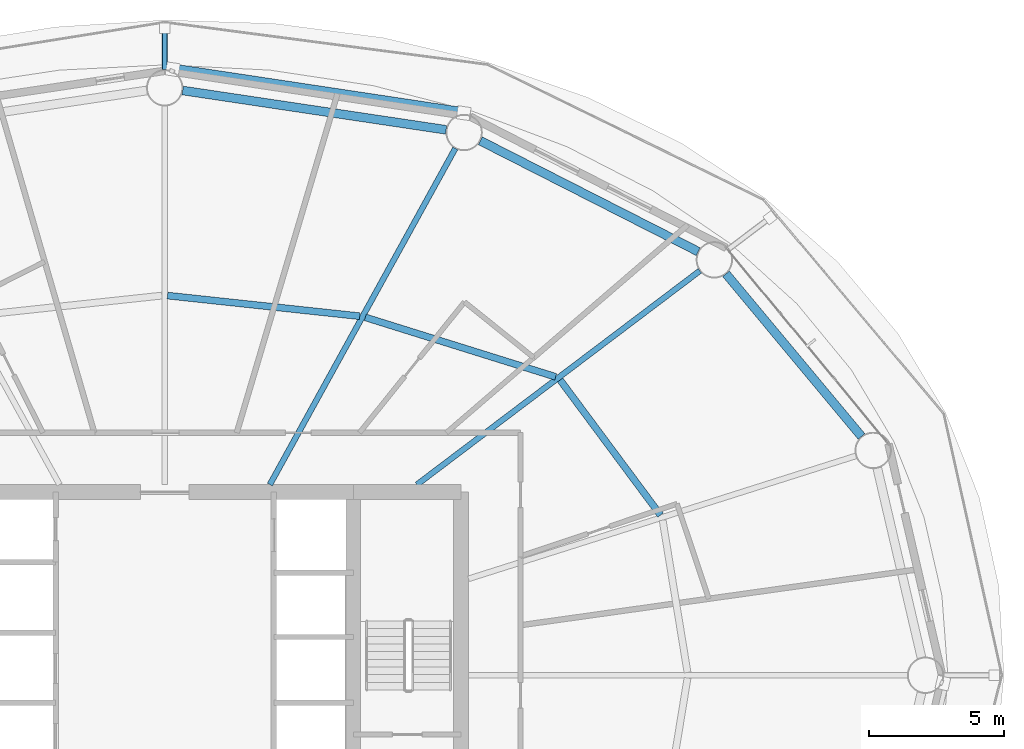
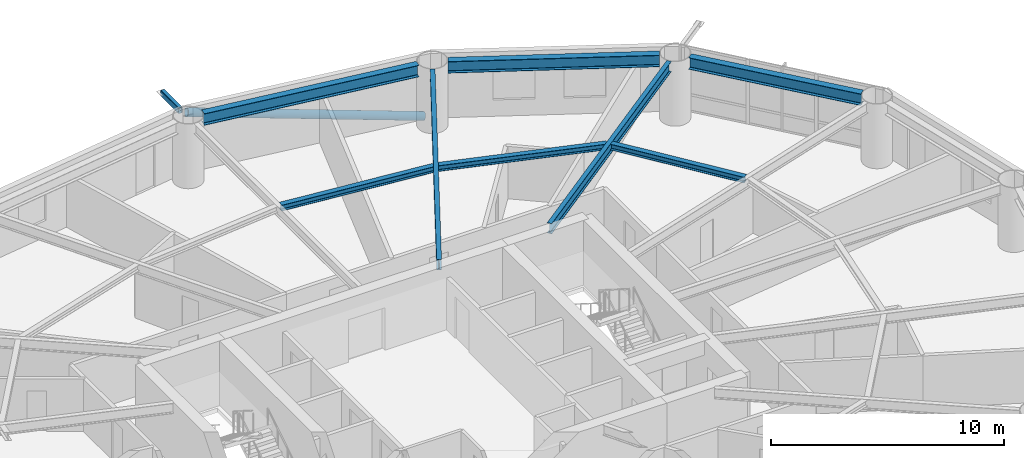
# One storey, part 11 of 24: 8 beams, 2 members.
"""IFC4 building model written with IfcOpenShell, lengths in metres."""

from ifc_helpers import new_model, si_unit, direction, frame, origin, origin_2d, place, context, subcontext, project, spatial, hollow_rectangle, hollow_circle, i_section, extrude, material, material_profile, profile_set, type_object, element, save


model = new_model("IFC4")

# Units and contexts
model_context = context("Model", 3, precision=1e-05, world=origin(), true_north=direction((0.0, 1.0)))
body_context = subcontext(model_context, "Body", "Model", "MODEL_VIEW")
ifc_project = project(units=[si_unit("LENGTHUNIT", "METRE"), si_unit("AREAUNIT", "SQUARE_METRE"), si_unit("VOLUMEUNIT", "CUBIC_METRE"), si_unit("PLANEANGLEUNIT", "RADIAN"), si_unit("MASSUNIT", "GRAM", prefix="KILO")], contexts=[model_context])

# Site, building, storey
site_placement = place(None, origin())
site = spatial("IfcSite", under=ifc_project, at=site_placement, CompositionType="ELEMENT")
building_placement = place(site_placement, origin())
building = spatial("IfcBuilding", under=site, at=building_placement, Name="Sarneth Arch Tower", CompositionType="ELEMENT")
storey_placement = place(building_placement, frame((0.0, 0.0, 120.0)))
storey = spatial("IfcBuildingStorey", under=building, at=storey_placement, Name="L30", CompositionType="ELEMENT", Elevation=120.0)

# Beams
ifc_material_1 = material(Name="Steel S355", Category="steel")
ifc_material_profile_1 = material_profile(ifc_material_1, i_section(OverallWidth=0.25390625, OverallDepth=0.305908203125, WebThickness=0.0087890625, FlangeThickness=0.0146484375, FilletRadius=0.014892578125, at=origin_2d()), Name="W310x79")
ifc_profile_set_1 = profile_set([ifc_material_profile_1], Name="Steel S355")
beam_type_1 = type_object("IfcBeamType", Name="BM-JOIST-310A", PredefinedType="JOIST", material=ifc_profile_set_1)
beam_1_placement = place(storey_placement, frame((66.3984375, 47.942626953125, 3.22705078125), z_axis=(-0.596354224217, 0.80272139579, 0.0), x_axis=(-0.80272139579, -0.596354224217, 0.0)))
element("IfcBeam", 1, at=beam_1_placement, inside=storey, type_object=beam_type_1, Name="L30 Secondary floor joist 02", PredefinedType="JOIST", context=body_context, shape_type="SweptSolid", body=[
    extrude(i_section(OverallWidth=0.25390625, OverallDepth=0.305908203125, WebThickness=0.0087890625, FlangeThickness=0.0146484375, FilletRadius=0.014892578125, at=origin_2d()), origin(), (0.0, 0.0, 1.0), 6.246337890625),
])
beam_2_placement = place(storey_placement, frame((62.509765625, 53.072998046875, 3.22705078125), z_axis=(-0.9544870201, 0.298252457594, 0.0), x_axis=(-0.298252457594, -0.9544870201, 0.0)))
element("IfcBeam", 2, at=beam_2_placement, inside=storey, type_object=beam_type_1, Name="L30 Secondary floor joist 03", PredefinedType="JOIST", context=body_context, shape_type="SweptSolid", body=[
    extrude(i_section(OverallWidth=0.25390625, OverallDepth=0.305908203125, WebThickness=0.0087890625, FlangeThickness=0.0146484375, FilletRadius=0.014892578125, at=origin_2d()), origin(), (0.0, 0.0, 1.0), 7.40234375),
])
beam_3_placement = place(storey_placement, frame((55.238525390625, 55.323486328125, 3.22705078125), z_axis=(-0.99429330851, 0.106680910441, 0.0), x_axis=(-0.106680910441, -0.99429330851, 0.0)))
element("IfcBeam", 3, at=beam_3_placement, inside=storey, type_object=beam_type_1, Name="L30 Secondary floor joist 04", PredefinedType="JOIST", context=body_context, shape_type="SweptSolid", body=[
    extrude(i_section(OverallWidth=0.25390625, OverallDepth=0.305908203125, WebThickness=0.0087890625, FlangeThickness=0.0146484375, FilletRadius=0.014892578125, at=origin_2d()), origin(), (0.0, 0.0, 1.0), 7.174560546875),
])
ifc_material_2 = material(Name="Steel S355", Category="steel")
ifc_material_profile_2 = material_profile(ifc_material_2, i_section(OverallWidth=0.2109375, OverallDepth=0.5390625, WebThickness=0.01171875, FlangeThickness=0.018798828125, FilletRadius=0.01806640625, at=origin_2d()), Name="W530x109")
ifc_profile_set_2 = profile_set([ifc_material_profile_2], Name="Steel S355")
beam_type_2 = type_object("IfcBeamType", Name="BM-RAD-530B", PredefinedType="BEAM", material=ifc_profile_set_2)
beam_4_placement = place(storey_placement, frame((57.36181640625, 49.074951171875, 3.110595703125), z_axis=(0.797801476102, 0.602920230818, 0.0), x_axis=(-0.602920230818, 0.797801476102, 0.0)))
element("IfcBeam", 4, at=beam_4_placement, inside=storey, type_object=beam_type_2, Name="L30 Radial floor girder 03", PredefinedType="BEAM", context=body_context, shape_type="SweptSolid", body=[
    extrude(i_section(OverallWidth=0.2109375, OverallDepth=0.5390625, WebThickness=0.01171875, FlangeThickness=0.018798828125, FilletRadius=0.01806640625, at=origin_2d()), origin(), (0.0, 0.0, 1.0), 13.15771484375),
])
beam_5_placement = place(storey_placement, frame((51.90283203125, 49.074951171875, 3.110595703125), z_axis=(0.48301301286, 0.875613173387, 0.0), x_axis=(-0.875613173387, 0.48301301286, 0.0)))
element("IfcBeam", 5, at=beam_5_placement, inside=storey, type_object=beam_type_2, Name="L30 Radial floor girder 04", PredefinedType="BEAM", context=body_context, shape_type="SweptSolid", body=[
    extrude(i_section(OverallWidth=0.2109375, OverallDepth=0.5390625, WebThickness=0.01171875, FlangeThickness=0.018798828125, FilletRadius=0.01806640625, at=origin_2d()), origin(), (0.0, 0.0, 1.0), 14.246826171875),
])
ifc_material_3 = material(Name="Steel S355", Category="steel")
ifc_material_profile_3 = material_profile(ifc_material_3, i_section(OverallWidth=0.323974609375, OverallDepth=0.611083984375, WebThickness=0.0126953125, FlangeThickness=0.01904296875, FilletRadius=0.01904296875, at=origin_2d()), Name="W610x155")
ifc_profile_set_3 = profile_set([ifc_material_profile_3], Name="Steel S355")
beam_type_3 = type_object("IfcBeamType", Name="BM-SPAN-610B", PredefinedType="SPANDREL", material=ifc_profile_set_3)
beam_6_placement = place(storey_placement, frame((73.859130859375, 50.861083984375, 3.074462890625), z_axis=(-0.640169116175, 0.768234015581, 0.0), x_axis=(-0.768234015581, -0.640169116175, 0.0)))
element("IfcBeam", 6, at=beam_6_placement, inside=storey, type_object=beam_type_3, Name="L30 Perimeter spandrel beam 02", PredefinedType="SPANDREL", context=body_context, shape_type="SweptSolid", body=[
    extrude(i_section(OverallWidth=0.323974609375, OverallDepth=0.611083984375, WebThickness=0.0126953125, FlangeThickness=0.01904296875, FilletRadius=0.01904296875, at=origin_2d()), origin(), (0.0, 0.0, 1.0), 7.856201171875),
])
beam_7_placement = place(storey_placement, frame((67.796142578125, 57.720947265625, 3.074462890625), z_axis=(-0.891255891792, 0.453500755619, 0.0), x_axis=(-0.453500755619, -0.891255891792, 0.0)))
element("IfcBeam", 7, at=beam_7_placement, inside=storey, type_object=beam_type_3, Name="L30 Perimeter spandrel beam 03", PredefinedType="SPANDREL", context=body_context, shape_type="SweptSolid", body=[
    extrude(i_section(OverallWidth=0.323974609375, OverallDepth=0.611083984375, WebThickness=0.0126953125, FlangeThickness=0.01904296875, FilletRadius=0.01904296875, at=origin_2d()), origin(), (0.0, 0.0, 1.0), 9.070556640625),
])
beam_8_placement = place(storey_placement, frame((58.442626953125, 62.240234375, 3.074462890625), z_axis=(-0.989029828744, 0.147715936359, 0.0), x_axis=(-0.147715936359, -0.989029828744, 0.0)))
element("IfcBeam", 8, at=beam_8_placement, inside=storey, type_object=beam_type_3, Name="L30 Perimeter spandrel beam 04", PredefinedType="SPANDREL", context=body_context, shape_type="SweptSolid", body=[
    extrude(i_section(OverallWidth=0.323974609375, OverallDepth=0.611083984375, WebThickness=0.0126953125, FlangeThickness=0.01904296875, FilletRadius=0.01904296875, at=origin_2d()), origin(), (0.0, 0.0, 1.0), 9.883544921875),
])

# Members
ifc_material_4 = material(Name="Steel S355", Category="steel")
ifc_material_profile_4 = material_profile(ifc_material_4, hollow_rectangle(XDim=0.199951171875, YDim=0.300048828125, WallThickness=0.012451171875, InnerFilletRadius=0.018798828125, OuterFilletRadius=0.03125, at=origin_2d()), Name="RHS300x200x12.5")
ifc_profile_set_4 = profile_set([ifc_material_profile_4], Name="Steel S355")
member_type_1 = type_object("IfcMemberType", Name="MEM-CANT-STRUT", PredefinedType="STRUT", material=ifc_profile_set_4)
member_1_placement = place(storey_placement, frame((48.0, 64.47509765625, 3.219970703125), z_axis=(0.0, 1.0, 0.0), x_axis=(-1.0, 0.0, 0.0)))
element("IfcMember", 9, at=member_1_placement, inside=storey, type_object=member_type_1, Name="L30 Balcony cantilever bracket 05", PredefinedType="STRUT", context=body_context, shape_type="SweptSolid", body=[
    extrude(hollow_rectangle(XDim=0.199951171875, YDim=0.300048828125, WallThickness=0.012451171875, InnerFilletRadius=0.018798828125, OuterFilletRadius=0.03125, at=origin_2d()), origin(), (0.0, 0.0, 1.0), 1.530517578125),
])
ifc_material_5 = material(Name="Steel S355", Category="steel")
ifc_material_profile_5 = material_profile(ifc_material_5, hollow_circle(Radius=0.202880859375, WallThickness=0.01611328125, at=origin_2d()), Name="CHS406x16")
ifc_profile_set_5 = profile_set([ifc_material_profile_5], Name="Steel S355")
member_type_2 = type_object("IfcMemberType", Name="MEM-DIAG-BR2", PredefinedType="BRACE", material=ifc_profile_set_5)
member_2_placement = place(storey_placement, frame((59.0927734375, 62.859619140625, 0.02001953125), z_axis=(-0.953656635145, 0.143605968509, 0.264416996529), x_axis=(-0.148905755657, -0.988851392239, 0.0)))
element("IfcMember", 10, at=member_2_placement, inside=storey, type_object=member_type_2, Name="L30 Perimeter frame diagonal 04", PredefinedType="BRACE", context=body_context, shape_type="SweptSolid", body=[
    extrude(hollow_circle(Radius=0.202880859375, WallThickness=0.01611328125, at=origin_2d()), origin(), (0.0, 0.0, 1.0), 11.32080078125),
])

save(model, "model.ifc")
